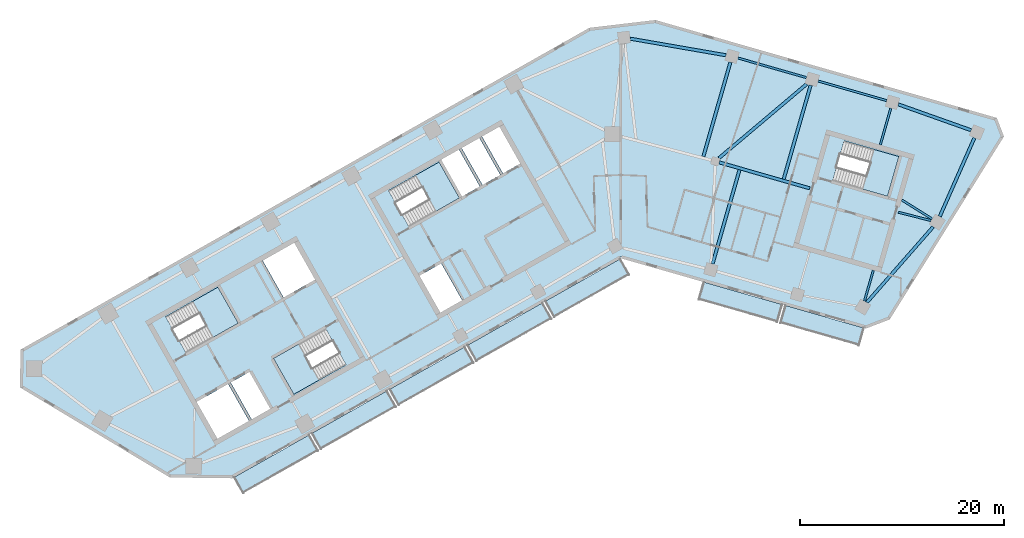
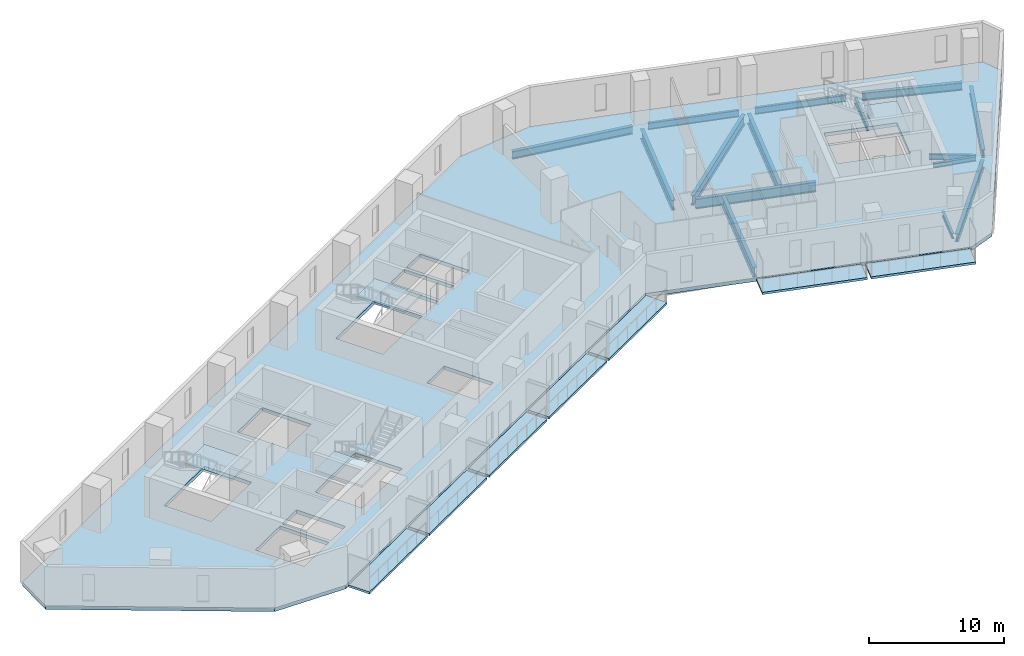
# One storey, part 2 of 9: 15 beams, 12 slabs, 4 elements without a shape of their own.
"""IFC4 building model written with IfcOpenShell, lengths in metres."""

from ifc_helpers import new_model, si_unit, direction, frame, origin, origin_2d, place, context, subcontext, project, spatial, polyline, i_section, outline, extrude, material, layer, layer_set, material_profile, profile_set, type_object, element, aggregate, save


model = new_model("IFC4")

# Units and contexts
model_context = context("Model", 3, precision=1e-05, world=origin(), true_north=direction((0.0, 1.0)))
body_context = subcontext(model_context, "Body", "Model", "MODEL_VIEW")
ifc_project = project(units=[si_unit("LENGTHUNIT", "METRE"), si_unit("AREAUNIT", "SQUARE_METRE"), si_unit("VOLUMEUNIT", "CUBIC_METRE"), si_unit("PLANEANGLEUNIT", "RADIAN"), si_unit("MASSUNIT", "GRAM", prefix="KILO")], contexts=[model_context])

# Site, building, storey
site_placement = place(None, origin())
site = spatial("IfcSite", under=ifc_project, at=site_placement, CompositionType="ELEMENT")
building_placement = place(site_placement, origin())
building = spatial("IfcBuilding", under=site, at=building_placement, Name="Binnacle Exchange Tower", CompositionType="ELEMENT")
storey_placement = place(building_placement, frame((0.0, 0.0, 198.89990234375)))
storey = spatial("IfcBuildingStorey", under=building, at=storey_placement, Name="L43", CompositionType="ELEMENT", Elevation=198.89990234375)

# Beams
ifc_material_1 = material(Name="Steel S355 (SHN355)", Category="steel")
ifc_material_profile_1 = material_profile(ifc_material_1, i_section(OverallWidth=0.201904296875, OverallDepth=0.612060546875, WebThickness=0.012939453125, FlangeThickness=0.02294921875, FilletRadius=0.02197265625, at=origin_2d()), Name="H 612x202x13x23")
ifc_profile_set_1 = profile_set([ifc_material_profile_1], Name="Steel S355 (SHN355)")
beam_type_1 = type_object("IfcBeamType", Name="Edge girder H 612x202x13x23 Steel S355 (SHN355)", PredefinedType="SPANDREL", material=ifc_profile_set_1)
for number, where, z_axis, x_axis, name in (
    (1, (18.16943359375, 65.54150390625, -0.6259765625), (-0.961255274252, 0.275659749916, 0.0), (-0.275659749916, -0.961255274252, 0.0), "S:BM:edge:L43:029"),
    (2, (26.02587890625, 63.288818359375, -0.6259765625), (-0.961267211469, 0.275618120149, 0.0), (-0.275618120149, -0.961267211469, 0.0), "S:BM:edge:L43:031"),
):
    element("IfcBeam", number, at=place(storey_placement, frame(where, z_axis=z_axis, x_axis=x_axis)), inside=storey, type_object=beam_type_1, Name=name, PredefinedType="SPANDREL", context=body_context, shape_type="SweptSolid", body=[
        extrude(i_section(OverallWidth=0.201904296875, OverallDepth=0.612060546875, WebThickness=0.012939453125, FlangeThickness=0.02294921875, FilletRadius=0.02197265625, at=origin_2d()), origin(), (0.0, 0.0, 1.0), 6.972900390625),
    ])
ifc_material_profile_2 = material_profile(ifc_material_1, i_section(OverallWidth=0.300048828125, OverallDepth=0.699951171875, WebThickness=0.012939453125, FlangeThickness=0.02392578125, FilletRadius=0.028076171875, at=origin_2d()), Name="H 700x300x13x24")
ifc_profile_set_2 = profile_set([ifc_material_profile_2], Name="Steel S355 (SHN355)")
beam_type_2 = type_object("IfcBeamType", Name="Edge girder H 700x300x13x24 Steel S355 (SHN355)", PredefinedType="SPANDREL", material=ifc_profile_set_2)
beam_1_placement = place(storey_placement, frame((31.234130859375, 51.94091796875, -0.669921875), z_axis=(0.403470856186, 0.914992496258, 0.0), x_axis=(-0.914992496258, 0.403470856186, 0.0)))
element("IfcBeam", 3, at=beam_1_placement, inside=storey, type_object=beam_type_2, Name="S:BM:edge:L43:032", PredefinedType="SPANDREL", context=body_context, shape_type="SweptSolid", body=[
    extrude(i_section(OverallWidth=0.300048828125, OverallDepth=0.699951171875, WebThickness=0.012939453125, FlangeThickness=0.02392578125, FilletRadius=0.028076171875, at=origin_2d()), origin(), (0.0, 0.0, 1.0), 8.412109375),
])
beam_2_placement = place(storey_placement, frame((34.30419921875, 60.38818359375, -0.669921875), z_axis=(-0.942327723458, 0.334691591771, 0.0), x_axis=(-0.334691591771, -0.942327723458, 0.0)))
element("IfcBeam", 4, at=beam_2_placement, inside=storey, type_object=beam_type_2, Name="S:BM:edge:L43:033", PredefinedType="SPANDREL", context=body_context, shape_type="SweptSolid", body=[
    extrude(i_section(OverallWidth=0.300048828125, OverallDepth=0.699951171875, WebThickness=0.012939453125, FlangeThickness=0.02392578125, FilletRadius=0.028076171875, at=origin_2d()), origin(), (0.0, 0.0, 1.0), 7.57177734375),
])
ifc_material_profile_3 = material_profile(ifc_material_1, i_section(OverallWidth=0.302001953125, OverallDepth=0.7080078125, WebThickness=0.014892578125, FlangeThickness=0.028076171875, FilletRadius=0.028076171875, at=origin_2d()), Name="H 708x302x15x28")
ifc_profile_set_3 = profile_set([ifc_material_profile_3], Name="Steel S355 (SHN355)")
beam_type_3 = type_object("IfcBeamType", Name="Edge girder H 708x302x15x28 Steel S355 (SHN355)", PredefinedType="SPANDREL", material=ifc_profile_set_3)
beam_3_placement = place(storey_placement, frame((10.29541015625, 67.73193359375, -0.673828125), z_axis=(-0.985309861954, 0.170776098841, 0.0), x_axis=(-0.170776098841, -0.985309861954, 0.0)))
element("IfcBeam", 5, at=beam_3_placement, inside=storey, type_object=beam_type_3, Name="S:BM:edge:L43:027", PredefinedType="SPANDREL", context=body_context, shape_type="SweptSolid", body=[
    extrude(i_section(OverallWidth=0.302001953125, OverallDepth=0.7080078125, WebThickness=0.014892578125, FlangeThickness=0.028076171875, FilletRadius=0.028076171875, at=origin_2d()), origin(), (0.0, 0.0, 1.0), 9.518310546875),
])
beam_4_placement = place(storey_placement, frame((24.09326171875, 43.5224609375, -0.673828125), z_axis=(0.659335841855, 0.751848553663, 0.0), x_axis=(-0.751848553663, 0.659335841855, 0.0)))
element("IfcBeam", 6, at=beam_4_placement, inside=storey, type_object=beam_type_3, Name="S:BM:edge:L43:030", PredefinedType="SPANDREL", context=body_context, shape_type="SweptSolid", body=[
    extrude(i_section(OverallWidth=0.302001953125, OverallDepth=0.7080078125, WebThickness=0.014892578125, FlangeThickness=0.028076171875, FilletRadius=0.028076171875, at=origin_2d()), origin(), (0.0, 0.0, 1.0), 9.851318359375),
])
ifc_material_profile_4 = material_profile(ifc_material_1, i_section(OverallWidth=0.199951171875, OverallDepth=0.449951171875, WebThickness=0.009033203125, FlangeThickness=0.013916015625, FilletRadius=0.01806640625, at=origin_2d()), Name="H 450x200x9x14")
ifc_profile_set_4 = profile_set([ifc_material_profile_4], Name="Steel S355 (SHN355)")
beam_type_4 = type_object("IfcBeamType", Name="Floor beam H 450x200x9x14 Steel S355 (SHN355)", PredefinedType="BEAM", material=ifc_profile_set_4)
beam_5_placement = place(storey_placement, frame((23.860595703125, 43.6572265625, -0.544921875), z_axis=(0.275637043779, 0.961261785414, 0.0), x_axis=(-0.961261785414, 0.275637043779, 0.0)))
element("IfcBeam", 7, at=beam_5_placement, inside=storey, type_object=beam_type_4, Name="S:BM:cross:L43:051", PredefinedType="BEAM", context=body_context, shape_type="SweptSolid", body=[
    extrude(i_section(OverallWidth=0.199951171875, OverallDepth=0.449951171875, WebThickness=0.009033203125, FlangeThickness=0.013916015625, FilletRadius=0.01806640625, at=origin_2d()), origin(), (0.0, 0.0, 1.0), 3.1328125),
])
ifc_material_profile_5 = material_profile(ifc_material_1, i_section(OverallWidth=0.199951171875, OverallDepth=0.5, WebThickness=0.010009765625, FlangeThickness=0.01611328125, FilletRadius=0.02001953125, at=origin_2d()), Name="H 500x200x10x16")
ifc_profile_set_5 = profile_set([ifc_material_profile_5], Name="Steel S355 (SHN355)")
beam_type_5 = type_object("IfcBeamType", Name="Floor beam H 500x200x10x16 Steel S355 (SHN355)", PredefinedType="BEAM", material=ifc_profile_set_5)
beam_6_placement = place(storey_placement, frame((26.437255859375, 62.546630859375, -0.56982421875), z_axis=(-0.275644746045, -0.961259576794, 0.0), x_axis=(0.961259576794, -0.275644746045, 0.0)))
element("IfcBeam", 8, at=beam_6_placement, inside=storey, type_object=beam_type_5, Name="S:BM:cross:L43:052", PredefinedType="BEAM", context=body_context, shape_type="SweptSolid", body=[
    extrude(i_section(OverallWidth=0.199951171875, OverallDepth=0.5, WebThickness=0.010009765625, FlangeThickness=0.01611328125, FilletRadius=0.02001953125, at=origin_2d()), origin(), (0.0, 0.0, 1.0), 3.735107421875),
])
beam_7_placement = place(storey_placement, frame((30.480712890625, 51.704345703125, -0.56982421875), z_axis=(-0.848084620748, 0.529860808186, 0.0), x_axis=(-0.529860808186, -0.848084620748, 0.0)))
element("IfcBeam", 9, at=beam_7_placement, inside=storey, type_object=beam_type_5, Name="S:BM:cross:L43:053", PredefinedType="BEAM", context=body_context, shape_type="SweptSolid", body=[
    extrude(i_section(OverallWidth=0.199951171875, OverallDepth=0.5, WebThickness=0.010009765625, FlangeThickness=0.01611328125, FilletRadius=0.02001953125, at=origin_2d()), origin(), (0.0, 0.0, 1.0), 3.495361328125),
])
ifc_material_profile_6 = material_profile(ifc_material_1, i_section(OverallWidth=0.302001953125, OverallDepth=0.912109375, WebThickness=0.01806640625, FlangeThickness=0.033935546875, FilletRadius=0.028076171875, at=origin_2d()), Name="H 912x302x18x34")
ifc_profile_set_6 = profile_set([ifc_material_profile_6], Name="Steel S355 (SHN355)")
beam_type_6 = type_object("IfcBeamType", Name="Floor beam H 912x302x18x34 Steel S355 (SHN355)", PredefinedType="BEAM", material=ifc_profile_set_6)
beam_8_placement = place(storey_placement, frame((8.974853515625, 47.299072265625, -0.77587890625), z_axis=(0.275642748758, 0.961260149521, 0.0), x_axis=(-0.961260149521, 0.275642748758, 0.0)))
element("IfcBeam", 10, at=beam_8_placement, inside=storey, type_object=beam_type_6, Name="S:BM:cross:L43:047", PredefinedType="BEAM", context=body_context, shape_type="SweptSolid", body=[
    extrude(i_section(OverallWidth=0.302001953125, OverallDepth=0.912109375, WebThickness=0.01806640625, FlangeThickness=0.033935546875, FilletRadius=0.028076171875, at=origin_2d()), origin(), (0.0, 0.0, 1.0), 9.585205078125),
])
beam_9_placement = place(storey_placement, frame((10.724609375, 67.05224609375, -0.77587890625), z_axis=(-0.275623285325, -0.961265730475, 0.0), x_axis=(0.961265730475, -0.275623285325, 0.0)))
element("IfcBeam", 11, at=beam_9_placement, inside=storey, type_object=beam_type_6, Name="S:BM:cross:L43:048", PredefinedType="BEAM", context=body_context, shape_type="SweptSolid", body=[
    extrude(i_section(OverallWidth=0.302001953125, OverallDepth=0.912109375, WebThickness=0.01806640625, FlangeThickness=0.033935546875, FilletRadius=0.028076171875, at=origin_2d()), origin(), (0.0, 0.0, 1.0), 9.61328125),
])
beam_10_placement = place(storey_placement, frame((18.580810546875, 64.79931640625, -0.77587890625), z_axis=(-0.275625961623, -0.961264963098, 0.0), x_axis=(0.961264963098, -0.275625961623, 0.0)))
element("IfcBeam", 12, at=beam_10_placement, inside=storey, type_object=beam_type_6, Name="S:BM:cross:L43:050", PredefinedType="BEAM", context=body_context, shape_type="SweptSolid", body=[
    extrude(i_section(OverallWidth=0.302001953125, OverallDepth=0.912109375, WebThickness=0.01806640625, FlangeThickness=0.033935546875, FilletRadius=0.028076171875, at=origin_2d()), origin(), (0.0, 0.0, 1.0), 9.5849609375),
])
ifc_material_profile_7 = material_profile(ifc_material_1, i_section(OverallWidth=0.199951171875, OverallDepth=0.39990234375, WebThickness=0.008056640625, FlangeThickness=0.012939453125, FilletRadius=0.01611328125, at=origin_2d()), Name="H 400x200x8x13")
ifc_profile_set_7 = profile_set([ifc_material_profile_7], Name="Steel S355 (SHN355)")
beam_type_7 = type_object("IfcBeamType", Name="Spine girder H 400x200x8x13 Steel S355 (SHN355)", PredefinedType="BEAM", material=ifc_profile_set_7)
beam_11_placement = place(storey_placement, frame((27.17138671875, 52.35400390625, -0.52001953125), z_axis=(0.969342999561, -0.245711516217, 0.0), x_axis=(0.245711516217, 0.969342999561, 0.0)))
element("IfcBeam", 13, at=beam_11_placement, inside=storey, type_object=beam_type_7, Name="S:BM:spine:L43:010", PredefinedType="BEAM", context=body_context, shape_type="SweptSolid", body=[
    extrude(i_section(OverallWidth=0.199951171875, OverallDepth=0.39990234375, WebThickness=0.008056640625, FlangeThickness=0.012939453125, FilletRadius=0.01611328125, at=origin_2d()), origin(), (0.0, 0.0, 1.0), 3.30859375),
])
ifc_material_profile_8 = material_profile(ifc_material_1, i_section(OverallWidth=0.302001953125, OverallDepth=0.912109375, WebThickness=0.01806640625, FlangeThickness=0.033935546875, FilletRadius=0.028076171875, at=origin_2d()), Name="H 912x302x18x34")
ifc_profile_set_8 = profile_set([ifc_material_profile_8], Name="Steel S355 (SHN355)")
beam_type_8 = type_object("IfcBeamType", Name="Spine girder H 912x302x18x34 Steel S355 (SHN355)", PredefinedType="BEAM", material=ifc_profile_set_8)
beam_12_placement = place(storey_placement, frame((9.60888671875, 57.660888671875, -0.77587890625), z_axis=(0.764057522707, 0.645148124073, 0.0), x_axis=(-0.645148124073, 0.764057522707, 0.0)))
element("IfcBeam", 14, at=beam_12_placement, inside=storey, type_object=beam_type_8, Name="S:BM:spine:L43:008", PredefinedType="BEAM", context=body_context, shape_type="SweptSolid", body=[
    extrude(i_section(OverallWidth=0.302001953125, OverallDepth=0.912109375, WebThickness=0.01806640625, FlangeThickness=0.033935546875, FilletRadius=0.028076171875, at=origin_2d()), origin(), (0.0, 0.0, 1.0), 11.237060546875),
])
beam_13_placement = place(storey_placement, frame((9.62548828125, 57.239990234375, -0.77587890625), z_axis=(0.961259511383, -0.275644974153, 0.0), x_axis=(0.275644974153, 0.961259511383, 0.0)))
element("IfcBeam", 15, at=beam_13_placement, inside=storey, type_object=beam_type_8, Name="S:BM:spine:L43:009", PredefinedType="BEAM", context=body_context, shape_type="SweptSolid", body=[
    extrude(i_section(OverallWidth=0.302001953125, OverallDepth=0.912109375, WebThickness=0.01806640625, FlangeThickness=0.033935546875, FilletRadius=0.028076171875, at=origin_2d()), origin(), (0.0, 0.0, 1.0), 9.213134765625),
])

# Slabs
ifc_material_2 = material(Name="Concrete C35/45", Category="concrete")
ifc_layer_1 = layer(ifc_material_2, 0.199951171875)
ifc_layer_set_1 = layer_set([ifc_layer_1], Name="BALCONY SLAB 200")
slab_type_1 = type_object("IfcSlabType", Name="BALCONY SLAB 200", PredefinedType="FLOOR", material=ifc_layer_set_1)
slab_1_placement = place(storey_placement, frame((0.0, 0.0, -0.199951171875)))
element("IfcSlab", 16, at=slab_1_placement, inside=storey, type_object=slab_type_1, Name="Balcony BA-G01-00 L43", PredefinedType="FLOOR", context=body_context, shape_type="SweptSolid", body=[
    extrude(outline(polyline([(-37.893310546875, 26.388671875), (-30.534912109375, 30.5517578125), (-29.648681640625, 28.985107421875), (-37.007080078125, 24.822021484375), (-37.893310546875, 26.388671875)])), origin(), (0.0, 0.0, 1.0), 0.199951171875),
])
slab_2_placement = place(storey_placement, frame((0.0, 0.0, -0.199951171875)))
element("IfcSlab", 17, at=slab_2_placement, inside=storey, type_object=slab_type_1, Name="Balcony BA-G01-01 L43", PredefinedType="FLOOR", context=body_context, shape_type="SweptSolid", body=[
    extrude(outline(polyline([(-30.27392578125, 30.699462890625), (-22.915283203125, 34.86279296875), (-22.029052734375, 33.296142578125), (-29.387451171875, 29.1328125), (-30.27392578125, 30.699462890625)])), origin(), (0.0, 0.0, 1.0), 0.199951171875),
])
slab_3_placement = place(storey_placement, frame((0.0, 0.0, -0.199951171875)))
element("IfcSlab", 18, at=slab_3_placement, inside=storey, type_object=slab_type_1, Name="Balcony BA-G01-02 L43", PredefinedType="FLOOR", context=body_context, shape_type="SweptSolid", body=[
    extrude(outline(polyline([(-22.654296875, 35.010498046875), (-15.2958984375, 39.173583984375), (-14.409423828125, 37.607177734375), (-21.767822265625, 33.44384765625), (-22.654296875, 35.010498046875)])), origin(), (0.0, 0.0, 1.0), 0.199951171875),
])
slab_4_placement = place(storey_placement, frame((0.0, 0.0, -0.199951171875)))
element("IfcSlab", 19, at=slab_4_placement, inside=storey, type_object=slab_type_1, Name="Balcony BA-G01-03 L43", PredefinedType="FLOOR", context=body_context, shape_type="SweptSolid", body=[
    extrude(outline(polyline([(-15.03466796875, 39.3212890625), (-7.67626953125, 43.484619140625), (-6.789794921875, 41.91796875), (-14.148193359375, 37.7548828125), (-15.03466796875, 39.3212890625)])), origin(), (0.0, 0.0, 1.0), 0.199951171875),
])
slab_5_placement = place(storey_placement, frame((0.0, 0.0, -0.199951171875)))
element("IfcSlab", 20, at=slab_5_placement, inside=storey, type_object=slab_type_1, Name="Balcony BA-G01-04 L43", PredefinedType="FLOOR", context=body_context, shape_type="SweptSolid", body=[
    extrude(outline(polyline([(-7.4150390625, 43.63232421875), (-0.056640625, 47.795654296875), (0.82958984375, 46.22900390625), (-6.52880859375, 42.06591796875), (-7.4150390625, 43.63232421875)])), origin(), (0.0, 0.0, 1.0), 0.199951171875),
])
slab_6_placement = place(storey_placement, frame((0.0, 0.0, -0.199951171875)))
element("IfcSlab", 21, at=slab_6_placement, inside=storey, type_object=slab_type_1, Name="Balcony BA-G02-01 L43", PredefinedType="FLOOR", context=body_context, shape_type="SweptSolid", body=[
    extrude(outline(polyline([(8.100830078125, 45.52099609375), (15.810546875, 43.310302734375), (15.314453125, 41.580078125), (7.604736328125, 43.790771484375), (8.100830078125, 45.52099609375)])), origin(), (0.0, 0.0, 1.0), 0.199951171875),
])
slab_7_placement = place(storey_placement, frame((0.0, 0.0, -0.199951171875)))
element("IfcSlab", 22, at=slab_7_placement, inside=storey, type_object=slab_type_1, Name="Balcony BA-G02-02 L43", PredefinedType="FLOOR", context=body_context, shape_type="SweptSolid", body=[
    extrude(outline(polyline([(16.09912109375, 43.2275390625), (23.80859375, 41.016845703125), (23.3125, 39.28662109375), (15.602783203125, 41.497314453125), (16.09912109375, 43.2275390625)])), origin(), (0.0, 0.0, 1.0), 0.199951171875),
])
ifc_layer_2 = layer(ifc_material_2, 0.320068359375)
ifc_layer_set_2 = layer_set([ifc_layer_2], Name="Floor slab 320 Concrete C35/45")
slab_type_2 = type_object("IfcSlabType", Name="Floor slab 320 Concrete C35/45", PredefinedType="FLOOR", material=ifc_layer_set_2)
slab_8_placement = place(storey_placement, frame((0.0, 0.0, -0.31982421875)))
element("IfcSlab", 23, at=slab_8_placement, inside=storey, type_object=slab_type_2, Name="S:SL:L43:01", PredefinedType="FLOOR", context=body_context, shape_type="SweptSolid", body=[
    extrude(outline(polyline([(-58.716064453125, 35.280029296875), (-58.669921875, 38.80615234375), (-3.046142578125, 70.276611328125), (3.364501953125, 71.035400390625), (36.71240234375, 61.472900390625), (37.359375, 59.787353515625), (26.23095703125, 41.978515625), (23.994140625, 41.119873046875), (0.0, 48.0), (-38.097900390625, 26.4453125), (-44.14404296875, 26.5244140625), (-58.716064453125, 35.280029296875)]), holes=[polyline([(-38.4794921875, 35.529296875), (-41.61279296875, 33.756591796875), (-39.544677734375, 30.10107421875), (-36.411376953125, 31.873779296875), (-38.4794921875, 35.529296875)]), polyline([(-36.390625, 36.711181640625), (-38.21826171875, 35.677001953125), (-36.150146484375, 32.021484375), (-34.322509765625, 33.0556640625), (-36.390625, 36.711181640625)]), polyline([(-32.04638671875, 34.515625), (-26.9287109375, 37.4111328125), (-28.923095703125, 40.93603515625), (-34.040771484375, 38.04052734375), (-32.04638671875, 34.515625)]), polyline([(-37.486572265625, 41.4912109375), (-39.480712890625, 45.01611328125), (-44.598388671875, 42.12060546875), (-42.604248046875, 38.595703125), (-37.486572265625, 41.4912109375)]), polyline([(-29.914306640625, 45.775390625), (-31.982666015625, 49.430908203125), (-35.115966796875, 47.657958984375), (-33.047607421875, 44.00244140625), (-29.914306640625, 45.775390625)]), polyline([(-17.81689453125, 57.27294921875), (-22.760498046875, 54.47607421875), (-20.76611328125, 50.950927734375), (-15.822509765625, 53.748046875), (-17.81689453125, 57.27294921875)]), polyline([(-15.53076171875, 43.6875), (-17.598876953125, 47.343017578125), (-19.77490234375, 46.11181640625), (-17.70654296875, 42.456298828125), (-15.53076171875, 43.6875)]), polyline([(-13.82080078125, 54.880615234375), (-15.888916015625, 58.5361328125), (-17.629638671875, 57.55126953125), (-15.5615234375, 53.895751953125), (-13.82080078125, 54.880615234375)]), polyline([(27.227783203125, 57.810302734375), (21.864013671875, 59.348388671875), (20.74755859375, 55.455078125), (26.111328125, 53.9169921875), (27.227783203125, 57.810302734375)]), polyline([(-11.819091796875, 56.01318359375), (-13.88720703125, 59.668701171875), (-15.6279296875, 58.683837890625), (-13.559814453125, 55.0283203125), (-11.819091796875, 56.01318359375)]), polyline([(-9.817138671875, 57.145751953125), (-11.885498046875, 60.80126953125), (-13.626220703125, 59.81640625), (-11.557861328125, 56.160888671875), (-9.817138671875, 57.145751953125)])]), origin(), (0.0, 0.0, 1.0), 0.31982421875),
])

# Stair, slab
stair_type = type_object("IfcStairType", Name="STAIR 24 RISERS 167", PredefinedType="HALF_TURN_STAIR", material=ifc_material_2)
stair_1_placement = place(storey_placement, origin())
stair_1 = element("IfcStair", 24, at=stair_1_placement, inside=storey, type_object=stair_type, Name="L43 Escape stair A1", PredefinedType="HALF_TURN_STAIR")
ifc_layer_3 = layer(ifc_material_2, 0.199951171875)
ifc_layer_set_3 = layer_set([ifc_layer_3], Name="STAIR LANDING 200")
slab_type_3 = type_object("IfcSlabType", Name="STAIR LANDING 200", PredefinedType="LANDING", material=ifc_layer_set_3)
slab_9_placement = place(storey_placement, frame((0.0, 0.0, 1.800048828125)))
slab_9 = element("IfcSlab", 25, at=slab_9_placement, type_object=slab_type_3, Name="STA1 landing 1", PredefinedType="LANDING", context=body_context, shape_type="SweptSolid", body=[
    extrude(outline(polyline([(-39.958251953125, 40.0927734375), (-37.486572265625, 41.4912109375), (-39.48095703125, 45.01611328125), (-41.95263671875, 43.61767578125), (-39.958251953125, 40.0927734375)])), origin(), (0.0, 0.0, 1.0), 0.199951171875),
])
aggregate(stair_1, [slab_9])

stair_2_placement = place(storey_placement, origin())
stair_2 = element("IfcStair", 26, at=stair_2_placement, inside=storey, type_object=stair_type, Name="L43 Escape stair A2", PredefinedType="HALF_TURN_STAIR")
slab_10_placement = place(storey_placement, frame((0.0, 0.0, 1.800048828125)))
slab_10 = element("IfcSlab", 27, at=slab_10_placement, type_object=slab_type_3, Name="STA2 landing 1", PredefinedType="LANDING", context=body_context, shape_type="SweptSolid", body=[
    extrude(outline(polyline([(-31.56884765625, 39.439208984375), (-34.040771484375, 38.04052734375), (-32.04638671875, 34.515625), (-29.574462890625, 35.9140625), (-31.56884765625, 39.439208984375)])), origin(), (0.0, 0.0, 1.0), 0.199951171875),
])
aggregate(stair_2, [slab_10])

stair_3_placement = place(storey_placement, origin())
stair_3 = element("IfcStair", 28, at=stair_3_placement, inside=storey, type_object=stair_type, Name="L43 Escape stair C1", PredefinedType="HALF_TURN_STAIR")
slab_11_placement = place(storey_placement, frame((0.0, 0.0, 1.800048828125)))
slab_11 = element("IfcSlab", 29, at=slab_11_placement, type_object=slab_type_3, Name="STC1 landing 1", PredefinedType="LANDING", context=body_context, shape_type="SweptSolid", body=[
    extrude(outline(polyline([(-18.120361328125, 52.447998046875), (-15.822509765625, 53.748046875), (-17.81689453125, 57.27294921875), (-20.11474609375, 55.972900390625), (-18.120361328125, 52.447998046875)])), origin(), (0.0, 0.0, 1.0), 0.199951171875),
])
aggregate(stair_3, [slab_11])

stair_4_placement = place(storey_placement, origin())
stair_4 = element("IfcStair", 30, at=stair_4_placement, inside=storey, type_object=stair_type, Name="L43 Escape stair D1", PredefinedType="HALF_TURN_STAIR")
slab_12_placement = place(storey_placement, frame((0.0, 0.0, 1.800048828125)))
slab_12 = element("IfcSlab", 31, at=slab_12_placement, type_object=slab_type_3, Name="STD1 landing 1", PredefinedType="LANDING", context=body_context, shape_type="SweptSolid", body=[
    extrude(outline(polyline([(23.669677734375, 54.6171875), (26.111328125, 53.917236328125), (27.227783203125, 57.810302734375), (24.7861328125, 58.51025390625), (23.669677734375, 54.6171875)])), origin(), (0.0, 0.0, 1.0), 0.199951171875),
])
aggregate(stair_4, [slab_12])

save(model, "model.ifc")
